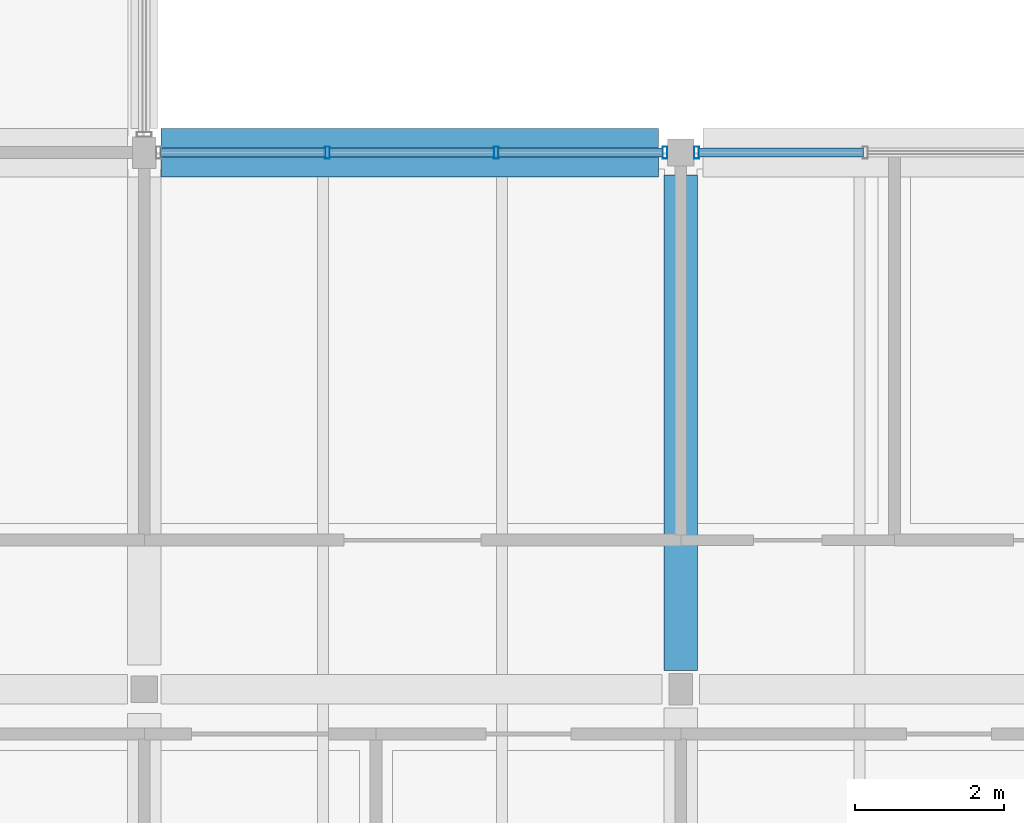
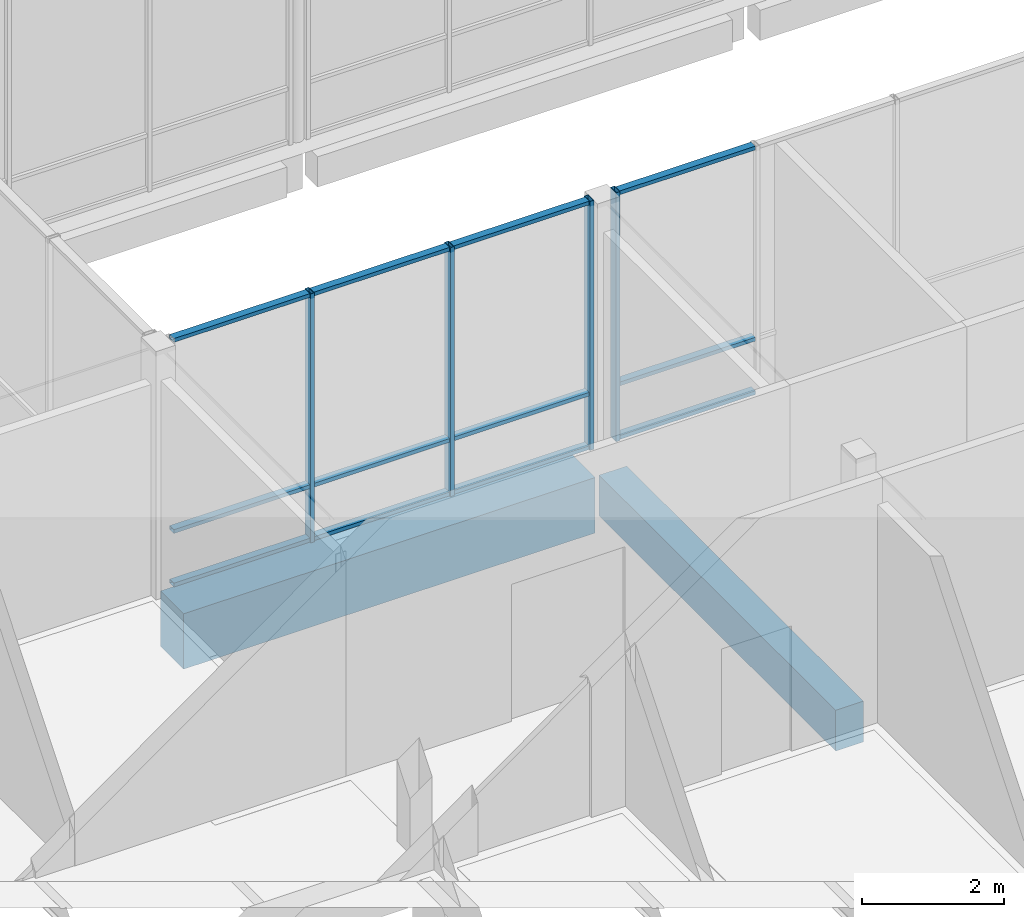
# One storey, part 21 of 146: 16 members, 2 beams, 2 elements without a shape of their own.
"""IFC4 building model written with IfcOpenShell, lengths in metres."""

from ifc_helpers import new_model, si_unit, direction, frame, origin, origin_2d, place, context, subcontext, project, spatial, rectangle, hollow_rectangle, extrude, material, material_profile, profile_set, type_object, element, aggregate, save


model = new_model("IFC4")

# Units and contexts
model_context = context("Model", 3, precision=1e-05, world=origin(), true_north=direction((0.0, 1.0)))
body_context = subcontext(model_context, "Body", "Model", "MODEL_VIEW")
ifc_project = project(units=[si_unit("LENGTHUNIT", "METRE"), si_unit("AREAUNIT", "SQUARE_METRE"), si_unit("VOLUMEUNIT", "CUBIC_METRE"), si_unit("PLANEANGLEUNIT", "RADIAN"), si_unit("MASSUNIT", "GRAM", prefix="KILO")], contexts=[model_context])

# Site, building, storey
site_placement = place(None, origin())
site = spatial("IfcSite", under=ifc_project, at=site_placement, CompositionType="ELEMENT")
building_placement = place(site_placement, origin())
building = spatial("IfcBuilding", under=site, at=building_placement, Name="Hawrajan Terrace Health Centre", CompositionType="ELEMENT")
storey_placement = place(building_placement, frame((0.0, 0.0, 4.5)))
storey = spatial("IfcBuildingStorey", under=building, at=storey_placement, Name="L01", CompositionType="ELEMENT", Elevation=4.5)

# Curtain wall, members
ifc_material_1 = material(Name="Anodized bronze aluminium and low-E solar glazing", Category="aluminium")
curtain_wall_type_1 = type_object("IfcCurtainWallType", Name="CW_CourtNS_SeriesC3", PredefinedType="USERDEFINED", material=ifc_material_1)
curtain_wall_1_placement = place(storey_placement, origin())
curtain_wall_1 = element("IfcCurtainWall", 1, at=curtain_wall_1_placement, inside=storey, type_object=curtain_wall_type_1, Name="Curtain wall CW-L01-057", ObjectType="UNITISED CURTAIN WALL", PredefinedType="USERDEFINED")
ifc_material_2 = material(Name="Anodized bronze aluminium 6063-T6", Category="aluminium")
ifc_material_profile_1 = material_profile(ifc_material_2, hollow_rectangle(XDim=0.06494140625, YDim=0.159912109375, WallThickness=0.00390625, at=origin_2d()), Name="CW MUL 65x160")
ifc_profile_set_1 = profile_set([ifc_material_profile_1], Name="Anodized bronze aluminium 6063-T6")
member_type_1 = type_object("IfcMemberType", Name="CWMullion_65x160", PredefinedType="MULLION", material=ifc_profile_set_1)
member_1_placement = place(storey_placement, frame((28.657470703125, 18.60009765625, -0.0048828125), z_axis=(0.0, 0.0, 1.0), x_axis=(1.0, 0.0, 0.0)))
member_1 = element("IfcMember", 2, at=member_1_placement, type_object=member_type_1, Name="Mullion CW-L01-057-M2", PredefinedType="MULLION", context=body_context, shape_type="SweptSolid", body=[
    extrude(hollow_rectangle(XDim=0.06494140625, YDim=0.159912109375, WallThickness=0.00390625, at=origin_2d()), origin(), (0.0, 0.0, 1.0), 4.269775390625),
])
member_2_placement = place(storey_placement, frame((30.922607421875, 18.60009765625, -0.0048828125), z_axis=(0.0, 0.0, 1.0), x_axis=(1.0, 0.0, 0.0)))
member_2 = element("IfcMember", 3, at=member_2_placement, type_object=member_type_1, Name="Mullion CW-L01-057-M3", PredefinedType="MULLION", context=body_context, shape_type="SweptSolid", body=[
    extrude(hollow_rectangle(XDim=0.06494140625, YDim=0.159912109375, WallThickness=0.00390625, at=origin_2d()), origin(), (0.0, 0.0, 1.0), 4.269775390625),
])
member_3_placement = place(storey_placement, frame((33.1875, 18.60009765625, -0.0048828125), z_axis=(0.0, 0.0, 1.0), x_axis=(1.0, 0.0, 0.0)))
member_3 = element("IfcMember", 4, at=member_3_placement, type_object=member_type_1, Name="Mullion CW-L01-057-M4", PredefinedType="MULLION", context=body_context, shape_type="SweptSolid", body=[
    extrude(hollow_rectangle(XDim=0.06494140625, YDim=0.159912109375, WallThickness=0.00390625, at=origin_2d()), origin(), (0.0, 0.0, 1.0), 4.269775390625),
])

# Curtain wall, member
curtain_wall_type_2 = type_object("IfcCurtainWallType", Name="CW_Garden_SeriesF2", PredefinedType="USERDEFINED", material=ifc_material_1)
curtain_wall_2_placement = place(storey_placement, origin())
curtain_wall_2 = element("IfcCurtainWall", 5, at=curtain_wall_2_placement, inside=storey, type_object=curtain_wall_type_2, Name="Curtain wall CW-L01-063", ObjectType="UNITISED CURTAIN WALL", PredefinedType="USERDEFINED")
member_4_placement = place(storey_placement, frame((33.612548828125, 18.60009765625, -0.0048828125), z_axis=(0.0, 0.0, 1.0), x_axis=(1.0, 0.0, 0.0)))
member_4 = element("IfcMember", 6, at=member_4_placement, type_object=member_type_1, Name="Mullion CW-L01-063-M1", PredefinedType="MULLION", context=body_context, shape_type="SweptSolid", body=[
    extrude(hollow_rectangle(XDim=0.06494140625, YDim=0.159912109375, WallThickness=0.00390625, at=origin_2d()), origin(), (0.0, 0.0, 1.0), 4.269775390625),
])

# Member
ifc_material_profile_2 = material_profile(ifc_material_2, hollow_rectangle(XDim=0.06494140625, YDim=0.1201171875, WallThickness=0.00341796875, at=origin_2d()), Name="CW TRN 65x120")
ifc_profile_set_2 = profile_set([ifc_material_profile_2], Name="Anodized bronze aluminium 6063-T6")
member_type_2 = type_object("IfcMemberType", Name="CWTransom_65x120", PredefinedType="USERDEFINED", material=ifc_profile_set_2)
member_5_placement = place(storey_placement, frame((26.4189453125, 18.60009765625, 0.032470703125), z_axis=(1.0, 0.0, 0.0), x_axis=(0.0, 0.0, 1.0)))
member_5 = element("IfcMember", 7, at=member_5_placement, type_object=member_type_2, Name="Transom CW-L01-057-T1-1", ObjectType="TRANSOM", PredefinedType="USERDEFINED", context=body_context, shape_type="SweptSolid", body=[
    extrude(hollow_rectangle(XDim=0.06494140625, YDim=0.1201171875, WallThickness=0.00341796875, at=origin_2d()), origin(), (0.0, 0.0, 1.0), 2.212158203125),
])

member_6_placement = place(storey_placement, frame((26.4189453125, 18.60009765625, 0.949951171875), z_axis=(1.0, 0.0, 0.0), x_axis=(0.0, 0.0, 1.0)))
member_6 = element("IfcMember", 8, at=member_6_placement, type_object=member_type_2, Name="Transom CW-L01-057-T1-2", ObjectType="TRANSOM", PredefinedType="USERDEFINED", context=body_context, shape_type="SweptSolid", body=[
    extrude(hollow_rectangle(XDim=0.06494140625, YDim=0.1201171875, WallThickness=0.00341796875, at=origin_2d()), origin(), (0.0, 0.0, 1.0), 2.212158203125),
])

member_7_placement = place(storey_placement, frame((26.4189453125, 18.60009765625, 4.2275390625), z_axis=(1.0, 0.0, 0.0), x_axis=(0.0, 0.0, 1.0)))
member_7 = element("IfcMember", 9, at=member_7_placement, type_object=member_type_2, Name="Transom CW-L01-057-T1-3", ObjectType="TRANSOM", PredefinedType="USERDEFINED", context=body_context, shape_type="SweptSolid", body=[
    extrude(hollow_rectangle(XDim=0.06494140625, YDim=0.1201171875, WallThickness=0.00341796875, at=origin_2d()), origin(), (0.0, 0.0, 1.0), 2.212158203125),
])

member_8_placement = place(storey_placement, frame((28.68408203125, 18.60009765625, 0.032470703125), z_axis=(1.0, 0.0, 0.0), x_axis=(0.0, 0.0, 1.0)))
member_8 = element("IfcMember", 10, at=member_8_placement, type_object=member_type_2, Name="Transom CW-L01-057-T2-1", ObjectType="TRANSOM", PredefinedType="USERDEFINED", context=body_context, shape_type="SweptSolid", body=[
    extrude(hollow_rectangle(XDim=0.06494140625, YDim=0.1201171875, WallThickness=0.00341796875, at=origin_2d()), origin(), (0.0, 0.0, 1.0), 2.2119140625),
])

member_9_placement = place(storey_placement, frame((28.68408203125, 18.60009765625, 0.949951171875), z_axis=(1.0, 0.0, 0.0), x_axis=(0.0, 0.0, 1.0)))
member_9 = element("IfcMember", 11, at=member_9_placement, type_object=member_type_2, Name="Transom CW-L01-057-T2-2", ObjectType="TRANSOM", PredefinedType="USERDEFINED", context=body_context, shape_type="SweptSolid", body=[
    extrude(hollow_rectangle(XDim=0.06494140625, YDim=0.1201171875, WallThickness=0.00341796875, at=origin_2d()), origin(), (0.0, 0.0, 1.0), 2.2119140625),
])

member_10_placement = place(storey_placement, frame((28.68408203125, 18.60009765625, 4.2275390625), z_axis=(1.0, 0.0, 0.0), x_axis=(0.0, 0.0, 1.0)))
member_10 = element("IfcMember", 12, at=member_10_placement, type_object=member_type_2, Name="Transom CW-L01-057-T2-3", ObjectType="TRANSOM", PredefinedType="USERDEFINED", context=body_context, shape_type="SweptSolid", body=[
    extrude(hollow_rectangle(XDim=0.06494140625, YDim=0.1201171875, WallThickness=0.00341796875, at=origin_2d()), origin(), (0.0, 0.0, 1.0), 2.2119140625),
])

member_11_placement = place(storey_placement, frame((30.948974609375, 18.60009765625, 0.032470703125), z_axis=(1.0, 0.0, 0.0), x_axis=(0.0, 0.0, 1.0)))
member_11 = element("IfcMember", 13, at=member_11_placement, type_object=member_type_2, Name="Transom CW-L01-057-T3-1", ObjectType="TRANSOM", PredefinedType="USERDEFINED", context=body_context, shape_type="SweptSolid", body=[
    extrude(hollow_rectangle(XDim=0.06494140625, YDim=0.1201171875, WallThickness=0.00341796875, at=origin_2d()), origin(), (0.0, 0.0, 1.0), 2.2119140625),
])

member_12_placement = place(storey_placement, frame((30.948974609375, 18.60009765625, 0.949951171875), z_axis=(1.0, 0.0, 0.0), x_axis=(0.0, 0.0, 1.0)))
member_12 = element("IfcMember", 14, at=member_12_placement, type_object=member_type_2, Name="Transom CW-L01-057-T3-2", ObjectType="TRANSOM", PredefinedType="USERDEFINED", context=body_context, shape_type="SweptSolid", body=[
    extrude(hollow_rectangle(XDim=0.06494140625, YDim=0.1201171875, WallThickness=0.00341796875, at=origin_2d()), origin(), (0.0, 0.0, 1.0), 2.2119140625),
])

member_13_placement = place(storey_placement, frame((30.948974609375, 18.60009765625, 4.2275390625), z_axis=(1.0, 0.0, 0.0), x_axis=(0.0, 0.0, 1.0)))
member_13 = element("IfcMember", 15, at=member_13_placement, type_object=member_type_2, Name="Transom CW-L01-057-T3-3", ObjectType="TRANSOM", PredefinedType="USERDEFINED", context=body_context, shape_type="SweptSolid", body=[
    extrude(hollow_rectangle(XDim=0.06494140625, YDim=0.1201171875, WallThickness=0.00341796875, at=origin_2d()), origin(), (0.0, 0.0, 1.0), 2.2119140625),
])

aggregate(curtain_wall_1, [member_1, member_2, member_3, member_5, member_6, member_7, member_8, member_9, member_10, member_11, member_12, member_13])

member_14_placement = place(storey_placement, frame((33.638916015625, 18.60009765625, 0.032470703125), z_axis=(1.0, 0.0, 0.0), x_axis=(0.0, 0.0, 1.0)))
member_14 = element("IfcMember", 16, at=member_14_placement, type_object=member_type_2, Name="Transom CW-L01-063-T1-1", ObjectType="TRANSOM", PredefinedType="USERDEFINED", context=body_context, shape_type="SweptSolid", body=[
    extrude(hollow_rectangle(XDim=0.06494140625, YDim=0.1201171875, WallThickness=0.00341796875, at=origin_2d()), origin(), (0.0, 0.0, 1.0), 2.212158203125),
])

member_15_placement = place(storey_placement, frame((33.638916015625, 18.60009765625, 0.949951171875), z_axis=(1.0, 0.0, 0.0), x_axis=(0.0, 0.0, 1.0)))
member_15 = element("IfcMember", 17, at=member_15_placement, type_object=member_type_2, Name="Transom CW-L01-063-T1-2", ObjectType="TRANSOM", PredefinedType="USERDEFINED", context=body_context, shape_type="SweptSolid", body=[
    extrude(hollow_rectangle(XDim=0.06494140625, YDim=0.1201171875, WallThickness=0.00341796875, at=origin_2d()), origin(), (0.0, 0.0, 1.0), 2.212158203125),
])

member_16_placement = place(storey_placement, frame((33.638916015625, 18.60009765625, 4.2275390625), z_axis=(1.0, 0.0, 0.0), x_axis=(0.0, 0.0, 1.0)))
member_16 = element("IfcMember", 18, at=member_16_placement, type_object=member_type_2, Name="Transom CW-L01-063-T1-3", ObjectType="TRANSOM", PredefinedType="USERDEFINED", context=body_context, shape_type="SweptSolid", body=[
    extrude(hollow_rectangle(XDim=0.06494140625, YDim=0.1201171875, WallThickness=0.00341796875, at=origin_2d()), origin(), (0.0, 0.0, 1.0), 2.212158203125),
])

aggregate(curtain_wall_2, [member_4, member_14, member_15, member_16])

# Beams
ifc_material_3 = material(Name="Concrete C40/50", Category="concrete")
ifc_material_profile_3 = material_profile(ifc_material_3, rectangle(XDim=0.449951171875, YDim=0.699951171875, at=origin_2d()), Name="RC BM 450x700")
ifc_profile_set_3 = profile_set([ifc_material_profile_3], Name="Concrete C40/50")
beam_type_1 = type_object("IfcBeamType", Name="RCGirder_450x700", PredefinedType="BEAM", material=ifc_profile_set_3)
beam_1_placement = place(storey_placement, frame((33.39990234375, 11.64990234375, -0.64990234375), z_axis=(0.0, 1.0, 0.0), x_axis=(-1.0, 0.0, 0.0)))
element("IfcBeam", 19, at=beam_1_placement, inside=storey, type_object=beam_type_1, Name="Beam BM-Y-L01-W-X05-2", PredefinedType="BEAM", context=body_context, shape_type="SweptSolid", body=[
    extrude(rectangle(XDim=0.449951171875, YDim=0.699951171875, at=origin_2d()), origin(), (0.0, 0.0, 1.0), 6.650146484375),
])
ifc_material_profile_4 = material_profile(ifc_material_3, rectangle(XDim=0.64990234375, YDim=0.949951171875, at=origin_2d()), Name="RC TG 650x950")
ifc_profile_set_4 = profile_set([ifc_material_profile_4], Name="Concrete C40/50")
beam_type_2 = type_object("IfcBeamType", Name="RCTransferGirder_650x950", PredefinedType="BEAM", material=ifc_profile_set_4)
beam_2_placement = place(storey_placement, frame((26.425048828125, 18.60009765625, -0.77490234375), z_axis=(1.0, 0.0, 0.0), x_axis=(0.0, 1.0, 0.0)))
element("IfcBeam", 20, at=beam_2_placement, inside=storey, type_object=beam_type_2, Name="Beam BM-X-L01-W-04-Y3", PredefinedType="BEAM", context=body_context, shape_type="SweptSolid", body=[
    extrude(rectangle(XDim=0.64990234375, YDim=0.949951171875, at=origin_2d()), origin(), (0.0, 0.0, 1.0), 6.675048828125),
])

save(model, "model.ifc")
